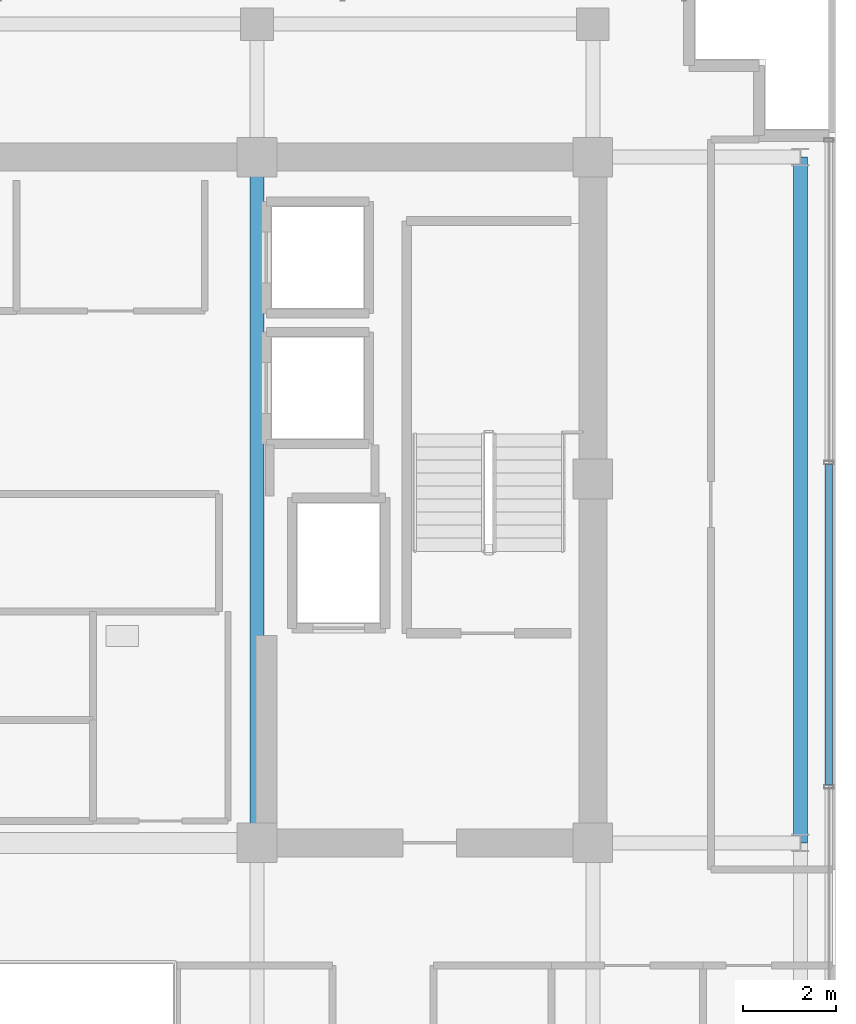
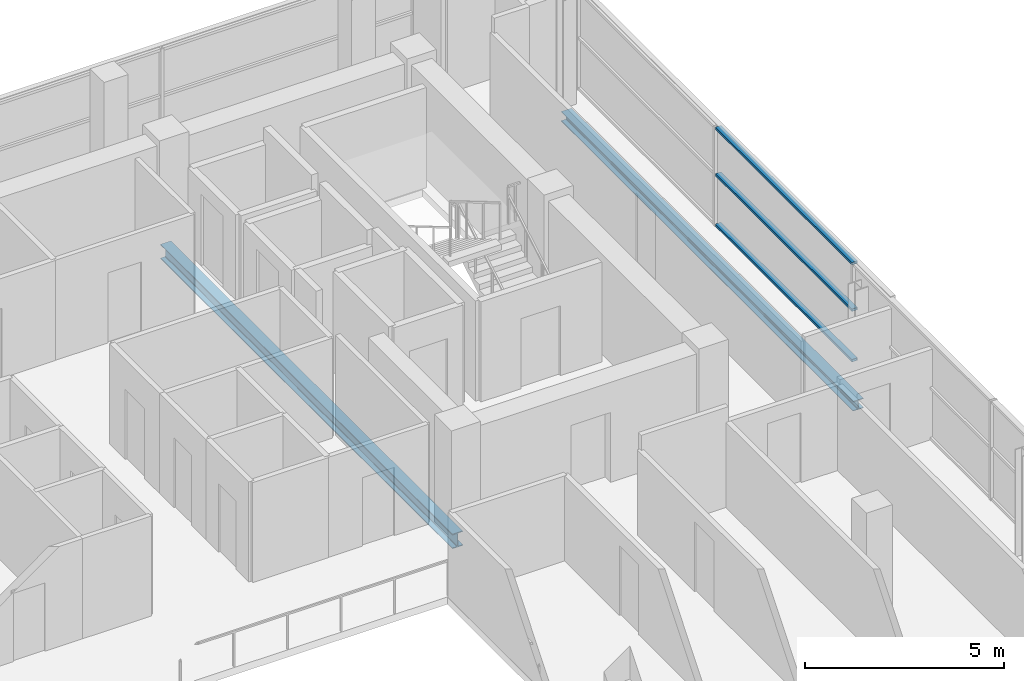
# One storey, part 9 of 22: 3 members, 2 beams, 1 element without a shape of its own.
"""IFC4 building model written with IfcOpenShell, lengths in metres."""

from ifc_helpers import new_model, si_unit, direction, frame, origin, origin_2d, place, context, subcontext, project, spatial, hollow_rectangle, i_section, extrude, source, transform, mapped, material, layer, layer_set, material_profile, profile_set, type_object, element, aggregate, save


model = new_model("IFC4")

# Units and contexts
model_context = context("Model", 3, precision=1e-05, world=origin(), true_north=direction((0.0, 1.0)))
body_context = subcontext(model_context, "Body", "Model", "MODEL_VIEW")
ifc_project = project(units=[si_unit("LENGTHUNIT", "METRE"), si_unit("AREAUNIT", "SQUARE_METRE"), si_unit("VOLUMEUNIT", "CUBIC_METRE"), si_unit("PLANEANGLEUNIT", "RADIAN"), si_unit("MASSUNIT", "GRAM", prefix="KILO")], contexts=[model_context])

# Site, building, storey
site_placement = place(None, origin())
site = spatial("IfcSite", under=ifc_project, at=site_placement, CompositionType="ELEMENT")
building_placement = place(site_placement, origin())
building = spatial("IfcBuilding", under=site, at=building_placement, Name="Zarnakvel Exchange Tower", CompositionType="ELEMENT")
storey_placement = place(building_placement, frame((0.0, 0.0, 222.10009765625)))
storey = spatial("IfcBuildingStorey", under=building, at=storey_placement, Name="L62", CompositionType="ELEMENT", Elevation=222.10009765625)

# Beams
ifc_material_1 = material(Name="Steel S355", Category="steel")
ifc_material_profile_1 = material_profile(ifc_material_1, i_section(OverallWidth=0.300048828125, OverallDepth=0.449951171875, WebThickness=0.013916015625, FlangeThickness=0.02587890625, FilletRadius=0.027099609375, at=origin_2d()))
ifc_profile_set_1 = profile_set([ifc_material_profile_1], Name="Steel S355")
beam_type_1 = type_object("IfcBeamType", Name="G-07", PredefinedType="BEAM", material=ifc_profile_set_1)
beam_1_placement = place(storey_placement, frame((7.199951171875, -1.199951171875, -0.4501953125), z_axis=(0.0, 1.0, 0.0), x_axis=(-1.0, 0.0, 0.0)))
element("IfcBeam", 1, at=beam_1_placement, inside=storey, type_object=beam_type_1, Name="L62 Tower N-S Frame Beam", PredefinedType="BEAM", context=body_context, shape_type="SweptSolid", body=[
    extrude(i_section(OverallWidth=0.300048828125, OverallDepth=0.449951171875, WebThickness=0.013916015625, FlangeThickness=0.02587890625, FilletRadius=0.027099609375, at=origin_2d()), origin(), (0.0, 0.0, 1.0), 14.699951171875),
])
ifc_material_profile_2 = material_profile(ifc_material_1, i_section(OverallWidth=0.300048828125, OverallDepth=0.300048828125, WebThickness=0.010986328125, FlangeThickness=0.01904296875, FilletRadius=0.027099609375, at=origin_2d()))
ifc_profile_set_2 = profile_set([ifc_material_profile_2], Name="Steel S355")
beam_type_2 = type_object("IfcBeamType", Name="SP-03", PredefinedType="SPANDREL", material=ifc_profile_set_2)
beam_2_placement = place(storey_placement, frame((18.85009765625, -1.199951171875, -0.375), z_axis=(0.0, 1.0, 0.0), x_axis=(-1.0, 0.0, 0.0)))
element("IfcBeam", 2, at=beam_2_placement, inside=storey, type_object=beam_type_2, Name="L62 Tower N-S Frame Beam", PredefinedType="SPANDREL", context=body_context, shape_type="SweptSolid", body=[
    extrude(i_section(OverallWidth=0.300048828125, OverallDepth=0.300048828125, WebThickness=0.010986328125, FlangeThickness=0.01904296875, FilletRadius=0.027099609375, at=origin_2d()), origin(), (0.0, 0.0, 1.0), 14.699951171875),
])

# Curtain wall, members
ifc_material_2 = material(Name="Architectural Bronze Anodised Aluminium", Category="aluminium")
ifc_layer = layer(ifc_material_2, 0.199951171875)
ifc_layer_set = layer_set([ifc_layer], Name="Architectural Bronze Anodised Aluminium")
curtain_wall_type = type_object("IfcCurtainWallType", Name="CW-04", PredefinedType="NOTDEFINED", material=ifc_layer_set)
curtain_wall_placement = place(storey_placement, origin())
curtain_wall = element("IfcCurtainWall", 3, at=curtain_wall_placement, inside=storey, type_object=curtain_wall_type, Name="L62 Curtain Wall CW-L62-E1 (CW-04)", PredefinedType="NOTDEFINED")
ifc_material_profile_3 = material_profile(ifc_material_2, hollow_rectangle(XDim=0.159912109375, YDim=0.074951171875, WallThickness=0.00390625, at=origin_2d()))
ifc_profile_set_3 = profile_set([ifc_material_profile_3], Name="Architectural Bronze Anodised Aluminium")
member_type = type_object("IfcMemberType", Name="CWT-04", PredefinedType="USERDEFINED", material=ifc_profile_set_3)
shared_shape = source(origin(), body_context, "Body", "SweptSolid", [
    extrude(hollow_rectangle(XDim=0.159912109375, YDim=0.074951171875, WallThickness=0.00390625, at=origin_2d()), origin(), (0.0, 0.0, 1.0), 6.875),
])
member_1_placement = place(storey_placement, frame((19.4599609375, 0.03759765625, 0.037353515625), z_axis=(0.0, 1.0, 0.0), x_axis=(-1.0, 0.0, 0.0)))
member_1 = element("IfcMember", 4, at=member_1_placement, type_object=member_type, Name="CW-04 transom 3.1", ObjectType="TRANSOM", PredefinedType="USERDEFINED", context=body_context, shape_type="MappedRepresentation", body=[
    mapped(shared_shape, transform((0.0, 0.0, 0.0), x_axis=(1.0, 0.0, 0.0), y_axis=(0.0, 1.0, 0.0), z_axis=(0.0, 0.0, 1.0), scale=1.0)),
])
member_2_placement = place(storey_placement, frame((19.4599609375, 0.03759765625, 1.588623046875), z_axis=(0.0, 1.0, 0.0), x_axis=(-1.0, 0.0, 0.0)))
member_2 = element("IfcMember", 5, at=member_2_placement, type_object=member_type, Name="CW-04 transom 3.2", ObjectType="TRANSOM", PredefinedType="USERDEFINED", context=body_context, shape_type="MappedRepresentation", body=[
    mapped(shared_shape, transform((0.0, 0.0, 0.0), x_axis=(1.0, 0.0, 0.0), y_axis=(0.0, 1.0, 0.0), z_axis=(0.0, 0.0, 1.0), scale=1.0)),
])
member_3_placement = place(storey_placement, frame((19.4599609375, 0.03759765625, 3.017333984375), z_axis=(0.0, 1.0, 0.0), x_axis=(-1.0, 0.0, 0.0)))
member_3 = element("IfcMember", 6, at=member_3_placement, type_object=member_type, Name="CW-04 transom 3.3", ObjectType="TRANSOM", PredefinedType="USERDEFINED", context=body_context, shape_type="MappedRepresentation", body=[
    mapped(shared_shape, transform((0.0, 0.0, 0.0), x_axis=(1.0, 0.0, 0.0), y_axis=(0.0, 1.0, 0.0), z_axis=(0.0, 0.0, 1.0), scale=1.0)),
])
aggregate(curtain_wall, [member_1, member_2, member_3])

save(model, "model.ifc")
